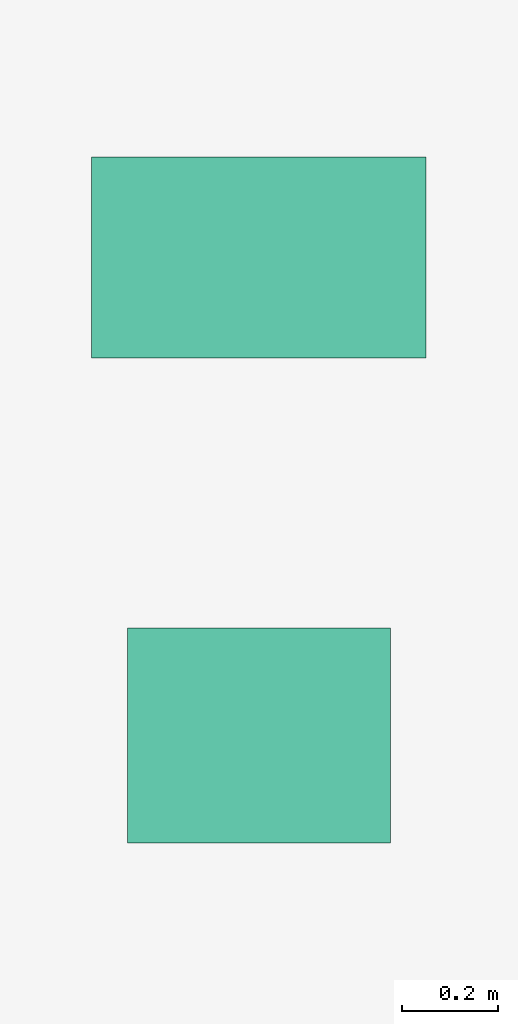
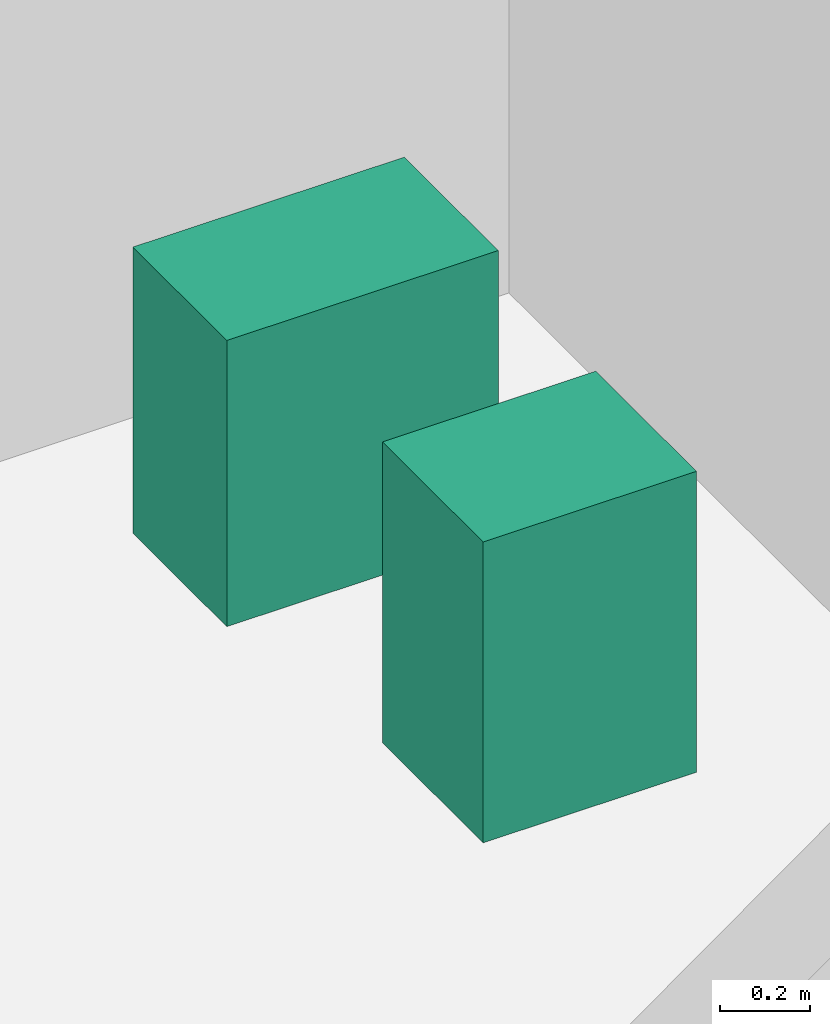
# One storey, part 28 of 28: 2 sanitary terminals.
"""IFC4 building model written with IfcOpenShell, lengths in metres."""

from ifc_helpers import new_model, si_unit, direction, frame, origin, origin_2d, place, context, subcontext, project, spatial, rectangle, extrude, source, transform, mapped, material, type_object, element, save


model = new_model("IFC4")

# Units and contexts
model_context = context("Model", 3, precision=1e-05, world=origin(), true_north=direction((0.0, 1.0)))
body_context = subcontext(model_context, "Body", "Model", "MODEL_VIEW")
ifc_project = project(units=[si_unit("LENGTHUNIT", "METRE"), si_unit("AREAUNIT", "SQUARE_METRE"), si_unit("VOLUMEUNIT", "CUBIC_METRE"), si_unit("PLANEANGLEUNIT", "RADIAN"), si_unit("MASSUNIT", "GRAM", prefix="KILO")], contexts=[model_context])

# Site, building, storey
site_placement = place(None, origin())
site = spatial("IfcSite", under=ifc_project, at=site_placement, CompositionType="ELEMENT")
building_placement = place(site_placement, origin())
building = spatial("IfcBuilding", under=site, at=building_placement, Name="Sumidabori Civic Tower", CompositionType="ELEMENT")
storey_placement = place(building_placement, frame((0.0, 0.0, 146.0)))
storey = spatial("IfcBuildingStorey", under=building, at=storey_placement, Name="L37", CompositionType="ELEMENT", Elevation=146.0)

# Sanitary terminals
ifc_material = material(Name="Vitreous Sanitary Porcelain")
sanitary_terminal_type_1 = type_object("IfcSanitaryTerminalType", Name="SN-WC-1", PredefinedType="TOILETPAN", material=ifc_material)
shared_shape_1 = source(origin(), body_context, "Body", "SweptSolid", [
    extrude(rectangle(XDim=0.699951171875, YDim=0.419921875, at=origin_2d()), origin(), (0.0, 0.0, 1.0), 0.780029296875),
])
sanitary_terminal_1_placement = place(storey_placement, frame((10.800048828125, 21.85009765625, 0.0), z_axis=(0.0, 0.0, 1.0), x_axis=(1.0, 0.0, 0.0)))
element("IfcSanitaryTerminal", 1, at=sanitary_terminal_1_placement, inside=storey, type_object=sanitary_terminal_type_1, Name="Accessible WC Pan L37", PredefinedType="TOILETPAN", context=body_context, shape_type="MappedRepresentation", body=[
    mapped(shared_shape_1, transform((0.0, 0.0, 0.0), x_axis=(1.0, 0.0, 0.0), y_axis=(0.0, 1.0, 0.0), z_axis=(0.0, 0.0, 1.0), scale=1.0)),
])
sanitary_terminal_type_2 = type_object("IfcSanitaryTerminalType", Name="SN-BAS-1", PredefinedType="WASHHANDBASIN", material=ifc_material)
shared_shape_2 = source(origin(), body_context, "Body", "SweptSolid", [
    extrude(rectangle(XDim=0.550048828125, YDim=0.449951171875, at=origin_2d()), origin(), (0.0, 0.0, 1.0), 0.820068359375),
])
sanitary_terminal_2_placement = place(storey_placement, frame((10.800048828125, 20.85009765625, 0.0), z_axis=(0.0, 0.0, 1.0), x_axis=(1.0, 0.0, 0.0)))
element("IfcSanitaryTerminal", 2, at=sanitary_terminal_2_placement, inside=storey, type_object=sanitary_terminal_type_2, Name="Accessible Basin L37", PredefinedType="WASHHANDBASIN", context=body_context, shape_type="MappedRepresentation", body=[
    mapped(shared_shape_2, transform((0.0, 0.0, 0.0), x_axis=(1.0, 0.0, 0.0), y_axis=(0.0, 1.0, 0.0), z_axis=(0.0, 0.0, 1.0), scale=1.0)),
])

save(model, "model.ifc")
